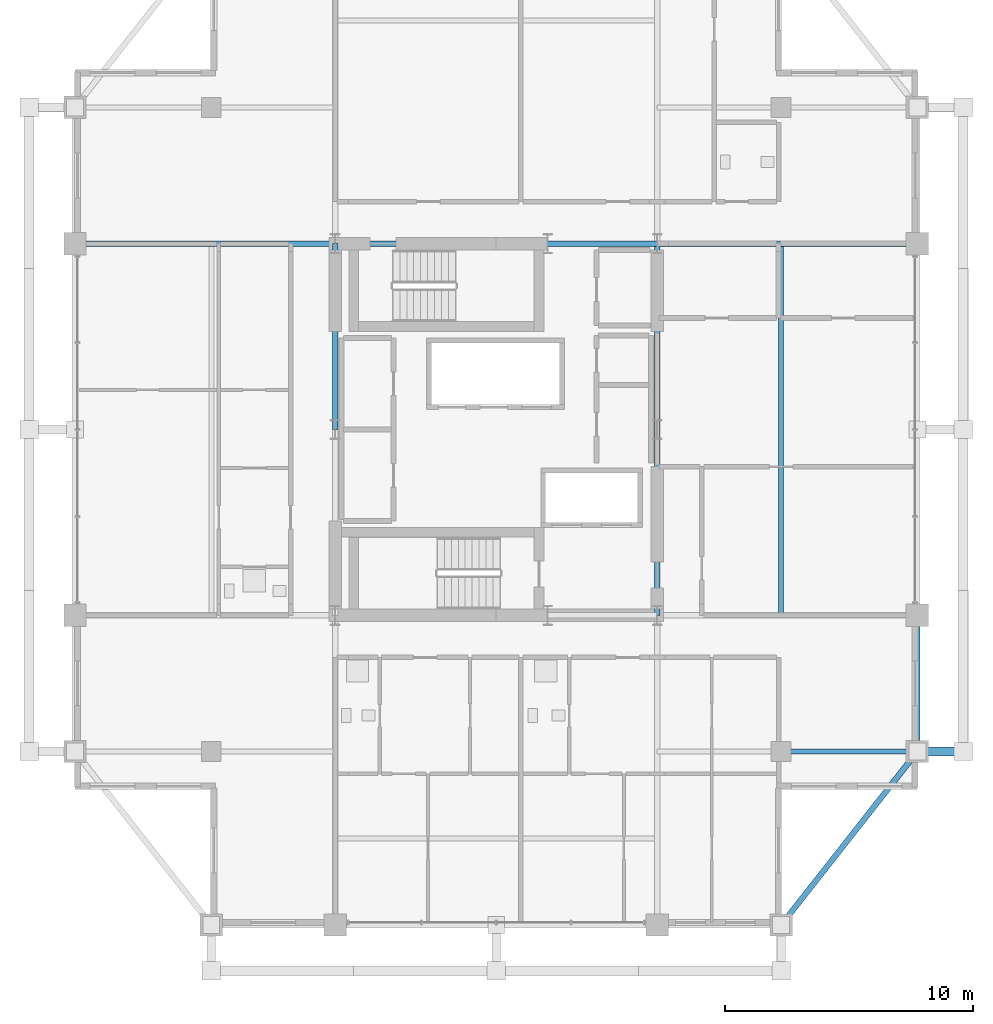
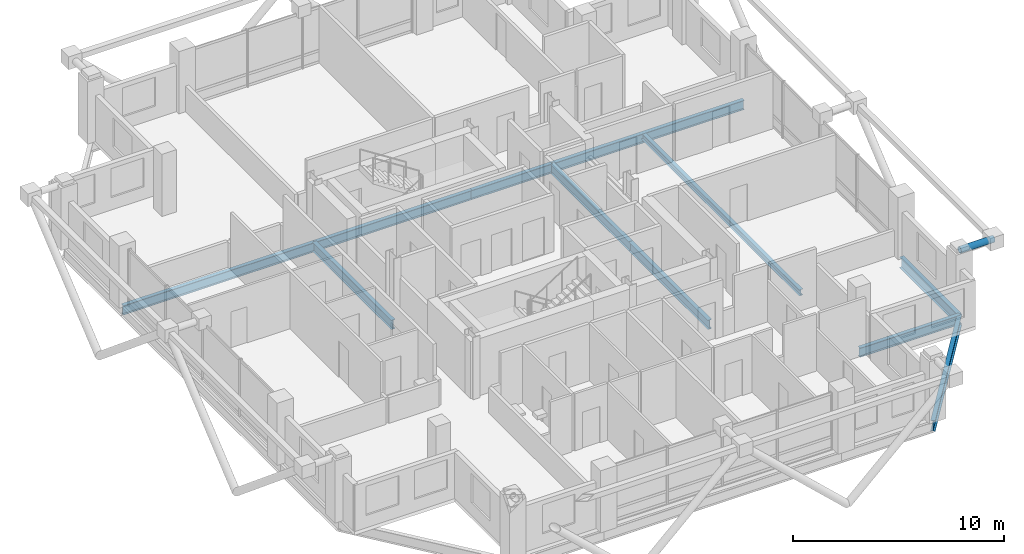
# One storey, part 11 of 25: 11 beams, 1 member.
"""IFC4 building model written with IfcOpenShell, lengths in metres."""

from ifc_helpers import new_model, si_unit, direction, frame, origin, origin_2d, place, context, subcontext, project, spatial, hollow_circle, i_section, extrude, material, material_profile, profile_set, type_object, element, save


model = new_model("IFC4")

# Units and contexts
model_context = context("Model", 3, precision=1e-05, world=origin(), true_north=direction((0.0, 1.0)))
body_context = subcontext(model_context, "Body", "Model", "MODEL_VIEW")
ifc_project = project(units=[si_unit("LENGTHUNIT", "METRE"), si_unit("AREAUNIT", "SQUARE_METRE"), si_unit("VOLUMEUNIT", "CUBIC_METRE"), si_unit("PLANEANGLEUNIT", "RADIAN"), si_unit("MASSUNIT", "GRAM", prefix="KILO")], contexts=[model_context])

# Site, building, storey
site_placement = place(None, origin())
site = spatial("IfcSite", under=ifc_project, at=site_placement, CompositionType="ELEMENT")
building_placement = place(site_placement, origin())
building = spatial("IfcBuilding", under=site, at=building_placement, Name="Barlavira Tower and Art Museum", CompositionType="ELEMENT")
storey_placement = place(building_placement, frame((0.0, 0.0, 301.5)))
storey = spatial("IfcBuildingStorey", under=building, at=storey_placement, Name="L79", CompositionType="ELEMENT", Elevation=301.5)

# Member
ifc_material = material(Name="Steel S355", Category="steel")
ifc_material_profile_1 = material_profile(ifc_material, hollow_circle(Radius=0.177734375, WallThickness=0.01611328125, at=origin_2d()), Name="CHS 355.6x16.0")
ifc_profile_set_1 = profile_set([ifc_material_profile_1], Name="Steel S355")
member_type = type_object("IfcMemberType", Name="Pale-Metal Exoskeleton Tie Strut CHS 356x16 Steel S355", PredefinedType="STRUT", material=ifc_profile_set_1)
member_placement = place(storey_placement, frame((18.85009765625, -13.0, 3.47998046875), z_axis=(-1.0, 0.0, 0.0), x_axis=(0.0, -1.0, 0.0)))
element("IfcMember", 1, at=member_placement, inside=storey, type_object=member_type, Name="L79 Exoskeleton Top Tie Strut E1", PredefinedType="STRUT", context=body_context, shape_type="SweptSolid", body=[
    extrude(hollow_circle(Radius=0.177734375, WallThickness=0.01611328125, at=origin_2d()), origin(), (0.0, 0.0, 1.0), 1.85009765625),
])

# Beams
ifc_material_profile_2 = material_profile(ifc_material, i_section(OverallWidth=0.22998046875, OverallDepth=0.616943359375, WebThickness=0.01318359375, FlangeThickness=0.022216796875, at=origin_2d()), Name="W610x140.0")
ifc_profile_set_2 = profile_set([ifc_material_profile_2], Name="Steel S355")
beam_type_1 = type_object("IfcBeamType", Name="Upper Shaft Spandrel Edge Beam W610x140 Steel S355", PredefinedType="SPANDREL", material=ifc_profile_set_2)
beam_1_placement = place(storey_placement, frame((11.5, -20.0, -0.528564453125), z_axis=(0.617821551932, 0.786318338822, 0.0), x_axis=(-0.786318338822, 0.617821551932, 0.0)))
element("IfcBeam", 2, at=beam_1_placement, inside=storey, type_object=beam_type_1, Name="L79 Spandrel 4", PredefinedType="SPANDREL", context=body_context, shape_type="SweptSolid", body=[
    extrude(i_section(OverallWidth=0.22998046875, OverallDepth=0.616943359375, WebThickness=0.01318359375, FlangeThickness=0.022216796875, at=origin_2d()), origin(), (0.0, 0.0, 1.0), 8.90234375),
])
beam_2_placement = place(storey_placement, frame((17.0, -13.0, -0.528564453125), z_axis=(0.0, 1.0, 0.0), x_axis=(-1.0, 0.0, 0.0)))
element("IfcBeam", 3, at=beam_2_placement, inside=storey, type_object=beam_type_1, Name="L79 Spandrel 5", PredefinedType="SPANDREL", context=body_context, shape_type="SweptSolid", body=[
    extrude(i_section(OverallWidth=0.22998046875, OverallDepth=0.616943359375, WebThickness=0.01318359375, FlangeThickness=0.022216796875, at=origin_2d()), origin(), (0.0, 0.0, 1.0), 5.5),
])
ifc_material_profile_3 = material_profile(ifc_material, i_section(OverallWidth=0.2109375, OverallDepth=0.5390625, WebThickness=0.01171875, FlangeThickness=0.018798828125, at=origin_2d()), Name="W530x109.0")
ifc_profile_set_3 = profile_set([ifc_material_profile_3], Name="Steel S355")
beam_type_2 = type_object("IfcBeamType", Name="Zone 3-4 Primary Floor Girder W530x109 Steel S355", PredefinedType="BEAM", material=ifc_profile_set_3)
beam_3_placement = place(storey_placement, frame((-6.5, 7.5, -0.489501953125), z_axis=(1.0, 0.0, 0.0), x_axis=(0.0, 1.0, 0.0)))
element("IfcBeam", 4, at=beam_3_placement, inside=storey, type_object=beam_type_2, Name="L79 Girder C-N1", PredefinedType="BEAM", context=body_context, shape_type="SweptSolid", body=[
    extrude(i_section(OverallWidth=0.2109375, OverallDepth=0.5390625, WebThickness=0.01171875, FlangeThickness=0.018798828125, at=origin_2d()), origin(), (0.0, 0.0, 1.0), 8.580078125),
])
beam_4_placement = place(storey_placement, frame((2.080078125, 7.5, -0.489501953125), z_axis=(1.0, 0.0, 0.0), x_axis=(0.0, 1.0, 0.0)))
element("IfcBeam", 5, at=beam_4_placement, inside=storey, type_object=beam_type_2, Name="L79 Girder C-N2", PredefinedType="BEAM", context=body_context, shape_type="SweptSolid", body=[
    extrude(i_section(OverallWidth=0.2109375, OverallDepth=0.5390625, WebThickness=0.01171875, FlangeThickness=0.018798828125, at=origin_2d()), origin(), (0.0, 0.0, 1.0), 4.419921875),
])
for number, where, z_axis, x_axis, name in (
    (6, (-6.5, 0.0, -0.489501953125), (0.0, 1.0, 0.0), (-1.0, 0.0, 0.0), "L79 Girder C-W2"),
    (7, (6.5, -7.5, -0.489501953125), (0.0, 1.0, 0.0), (-1.0, 0.0, 0.0), "L79 Girder C-E1"),
    (8, (6.5, 0.0, -0.489501953125), (0.0, 1.0, 0.0), (-1.0, 0.0, 0.0), "L79 Girder C-E2"),
):
    element("IfcBeam", number, at=place(storey_placement, frame(where, z_axis=z_axis, x_axis=x_axis)), inside=storey, type_object=beam_type_2, Name=name, PredefinedType="BEAM", context=body_context, shape_type="SweptSolid", body=[
        extrude(i_section(OverallWidth=0.2109375, OverallDepth=0.5390625, WebThickness=0.01171875, FlangeThickness=0.018798828125, at=origin_2d()), origin(), (0.0, 0.0, 1.0), 7.5),
    ])
for number, where, z_axis, x_axis, name in (
    (9, (-17.0, 7.5, -0.489501953125), (1.0, 0.0, 0.0), (0.0, 1.0, 0.0), "L79 Girder R-W2"),
    (10, (6.5, 7.5, -0.489501953125), (1.0, 0.0, 0.0), (0.0, 1.0, 0.0), "L79 Girder R-E2"),
):
    element("IfcBeam", number, at=place(storey_placement, frame(where, z_axis=z_axis, x_axis=x_axis)), inside=storey, type_object=beam_type_2, Name=name, PredefinedType="BEAM", context=body_context, shape_type="SweptSolid", body=[
        extrude(i_section(OverallWidth=0.2109375, OverallDepth=0.5390625, WebThickness=0.01171875, FlangeThickness=0.018798828125, at=origin_2d()), origin(), (0.0, 0.0, 1.0), 10.5),
    ])
beam_5_placement = place(storey_placement, frame((11.5, -13.0, -0.489501953125), z_axis=(1.0, 0.0, 0.0), x_axis=(0.0, 1.0, 0.0)))
element("IfcBeam", 11, at=beam_5_placement, inside=storey, type_object=beam_type_2, Name="L79 Girder I-S4", PredefinedType="BEAM", context=body_context, shape_type="SweptSolid", body=[
    extrude(i_section(OverallWidth=0.2109375, OverallDepth=0.5390625, WebThickness=0.01171875, FlangeThickness=0.018798828125, at=origin_2d()), origin(), (0.0, 0.0, 1.0), 5.5),
])
ifc_material_profile_4 = material_profile(ifc_material, i_section(OverallWidth=0.202880859375, OverallDepth=0.346923828125, WebThickness=0.0078125, FlangeThickness=0.013427734375, at=origin_2d()), Name="W360x64.0")
ifc_profile_set_4 = profile_set([ifc_material_profile_4], Name="Steel S355")
beam_type_3 = type_object("IfcBeamType", Name="Zone 4 Composite Floor Joist W360x64 Steel S355", PredefinedType="JOIST", material=ifc_profile_set_4)
beam_6_placement = place(storey_placement, frame((11.5, -7.5, -0.3935546875), z_axis=(0.0, 1.0, 0.0), x_axis=(-1.0, 0.0, 0.0)))
element("IfcBeam", 12, at=beam_6_placement, inside=storey, type_object=beam_type_3, Name="L79 Joist W2", PredefinedType="JOIST", context=body_context, shape_type="SweptSolid", body=[
    extrude(i_section(OverallWidth=0.202880859375, OverallDepth=0.346923828125, WebThickness=0.0078125, FlangeThickness=0.013427734375, at=origin_2d()), origin(), (0.0, 0.0, 1.0), 15.0),
])

save(model, "model.ifc")
